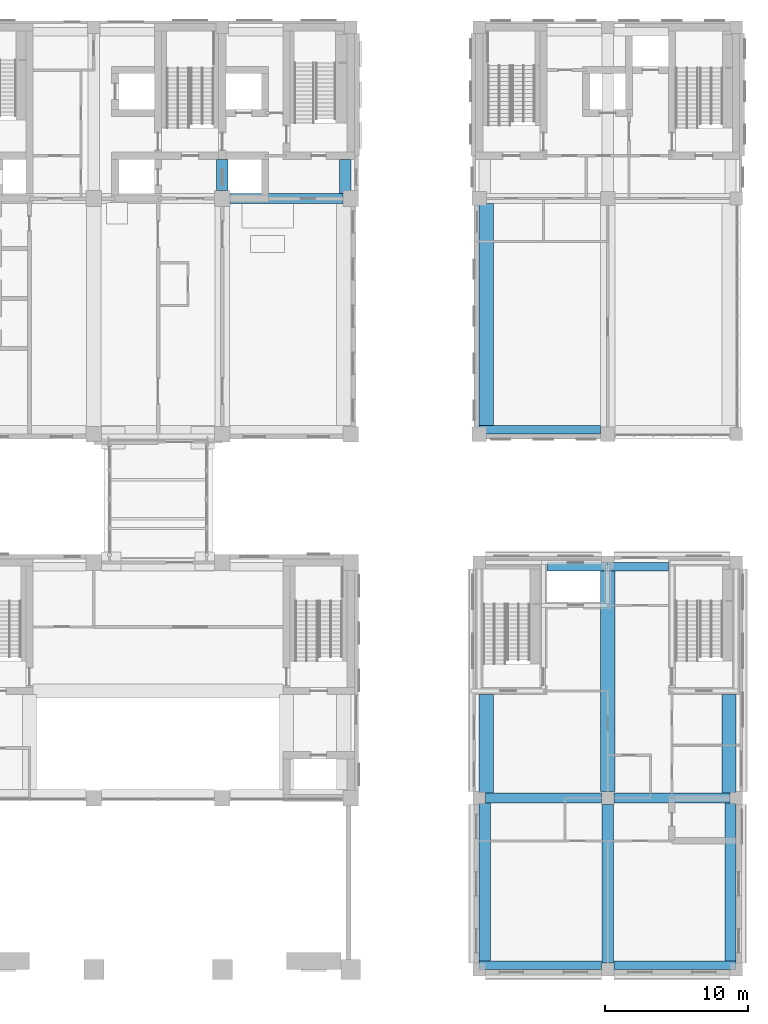
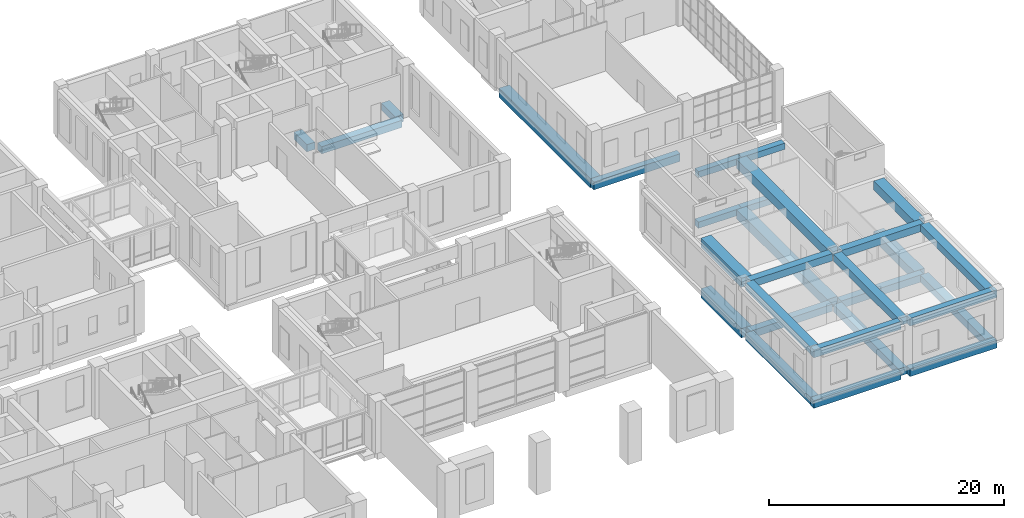
# One storey, part 17 of 52: 29 beams.
"""IFC4 building model written with IfcOpenShell, lengths in metres."""

from ifc_helpers import new_model, si_unit, direction, frame, origin, origin_2d, place, context, subcontext, project, spatial, rectangle, extrude, material, material_profile, profile_set, type_object, element, save


model = new_model("IFC4")

# Units and contexts
model_context = context("Model", 3, precision=1e-05, world=origin(), true_north=direction((0.0, 1.0)))
body_context = subcontext(model_context, "Body", "Model", "MODEL_VIEW")
ifc_project = project(units=[si_unit("LENGTHUNIT", "METRE"), si_unit("AREAUNIT", "SQUARE_METRE"), si_unit("VOLUMEUNIT", "CUBIC_METRE"), si_unit("PLANEANGLEUNIT", "RADIAN"), si_unit("MASSUNIT", "GRAM", prefix="KILO")], contexts=[model_context])

# Site, building, storey
site_placement = place(None, origin())
site = spatial("IfcSite", under=ifc_project, at=site_placement, CompositionType="ELEMENT")
building_placement = place(site_placement, origin())
building = spatial("IfcBuilding", under=site, at=building_placement, Name="Aurelan Courthouse", CompositionType="ELEMENT")
storey_placement = place(building_placement, frame((0.0, 0.0, 6.60009765625)))
storey = spatial("IfcBuildingStorey", under=building, at=storey_placement, Name="L01", CompositionType="ELEMENT", Elevation=6.60009765625)

# Beams
ifc_material = material(Name="Concrete C50", Category="concrete")
ifc_material_profile_1 = material_profile(ifc_material, rectangle(XDim=0.699951171875, YDim=0.75, at=origin_2d()), Name="RC 700 x 750")
ifc_profile_set_1 = profile_set([ifc_material_profile_1], Name="Concrete C50")
beam_type_1 = type_object("IfcBeamType", Name="PT beam 700 x 750", PredefinedType="BEAM", material=ifc_profile_set_1)
beam_1_placement = place(storey_placement, frame((54.550048828125, 54.0, -0.675048828125), z_axis=(1.0, 0.0, 0.0), x_axis=(0.0, 1.0, 0.0)))
element("IfcBeam", 1, at=beam_1_placement, inside=storey, type_object=beam_type_1, Name="Beam EB-E-7-8", PredefinedType="BEAM", context=body_context, shape_type="SweptSolid", body=[
    extrude(rectangle(XDim=0.699951171875, YDim=0.75, at=origin_2d()), origin(), (0.0, 0.0, 1.0), 7.89990234375),
])
for number, where, z_axis, x_axis, name in (
    (2, (72.449951171875, 12.0, -0.675048828125), (1.0, 0.0, 0.0), (0.0, 1.0, 0.0), "Beam EB-B-9-10"),
    (3, (81.449951171875, 12.0, -0.675048828125), (1.0, 0.0, 0.0), (0.0, 1.0, 0.0), "Beam EB-B-10-11"),
    (4, (72.449951171875, 12.0, 4.576904296875), (1.0, 0.0, 0.0), (0.0, 1.0, 0.0), "Beam EB-B-9-10R"),
    (5, (81.449951171875, 12.0, 4.576904296875), (1.0, 0.0, 0.0), (0.0, 1.0, 0.0), "Beam EB-B-10-11R"),
):
    element("IfcBeam", number, at=place(storey_placement, frame(where, z_axis=z_axis, x_axis=x_axis)), inside=storey, type_object=beam_type_1, Name=name, PredefinedType="BEAM", context=body_context, shape_type="SweptSolid", body=[
        extrude(rectangle(XDim=0.699951171875, YDim=0.75, at=origin_2d()), origin(), (0.0, 0.0, 1.0), 8.10009765625),
    ])
ifc_material_profile_2 = material_profile(ifc_material, rectangle(XDim=1.0, YDim=0.949951171875, at=origin_2d()), Name="RC 1000 x 950")
ifc_profile_set_2 = profile_set([ifc_material_profile_2], Name="Concrete C50")
beam_type_2 = type_object("IfcBeamType", Name="PT girder 1000 x 950", PredefinedType="BEAM", material=ifc_profile_set_2)
beam_2_placement = place(storey_placement, frame((72.5, 38.10009765625, -0.775146484375), z_axis=(0.0, 1.0, 0.0), x_axis=(-1.0, 0.0, 0.0)))
element("IfcBeam", 6, at=beam_2_placement, inside=storey, type_object=beam_type_2, Name="Girder GB-9DE-E", PredefinedType="BEAM", context=body_context, shape_type="SweptSolid", body=[
    extrude(rectangle(XDim=1.0, YDim=0.949951171875, at=origin_2d()), origin(), (0.0, 0.0, 1.0), 15.5498046875),
])
beam_3_placement = place(storey_placement, frame((72.5, 12.35009765625, -0.775146484375), z_axis=(0.0, 1.0, 0.0), x_axis=(-1.0, 0.0, 0.0)))
element("IfcBeam", 7, at=beam_3_placement, inside=storey, type_object=beam_type_2, Name="Girder GB-9BC-E", PredefinedType="BEAM", context=body_context, shape_type="SweptSolid", body=[
    extrude(rectangle(XDim=1.0, YDim=0.949951171875, at=origin_2d()), origin(), (0.0, 0.0, 1.0), 6.89990234375),
])
beam_4_placement = place(storey_placement, frame((81.0, 12.449951171875, -0.775146484375), z_axis=(0.0, 1.0, 0.0), x_axis=(-1.0, 0.0, 0.0)))
element("IfcBeam", 8, at=beam_4_placement, inside=storey, type_object=beam_type_2, Name="Girder GB-10BC", PredefinedType="BEAM", context=body_context, shape_type="SweptSolid", body=[
    extrude(rectangle(XDim=1.0, YDim=0.949951171875, at=origin_2d()), origin(), (0.0, 0.0, 1.0), 15.449951171875),
])
for number, where, z_axis, x_axis, name in (
    (9, (89.5, 12.35009765625, -0.775146484375), (0.0, 1.0, 0.0), (-1.0, 0.0, 0.0), "Girder GB-11BC-E"),
    (10, (72.5, 12.35009765625, 4.476806640625), (0.0, 1.0, 0.0), (-1.0, 0.0, 0.0), "Girder GB-9BCER"),
):
    element("IfcBeam", number, at=place(storey_placement, frame(where, z_axis=z_axis, x_axis=x_axis)), inside=storey, type_object=beam_type_2, Name=name, PredefinedType="BEAM", context=body_context, shape_type="SweptSolid", body=[
        extrude(rectangle(XDim=1.0, YDim=0.949951171875, at=origin_2d()), origin(), (0.0, 0.0, 1.0), 6.89990234375),
    ])
beam_5_placement = place(storey_placement, frame((81.0, 12.449951171875, 4.476806640625), z_axis=(0.0, 1.0, 0.0), x_axis=(-1.0, 0.0, 0.0)))
element("IfcBeam", 11, at=beam_5_placement, inside=storey, type_object=beam_type_2, Name="Girder GB-10BCR", PredefinedType="BEAM", context=body_context, shape_type="SweptSolid", body=[
    extrude(rectangle(XDim=1.0, YDim=0.949951171875, at=origin_2d()), origin(), (0.0, 0.0, 1.0), 15.449951171875),
])
beam_6_placement = place(storey_placement, frame((89.5, 12.35009765625, 4.476806640625), z_axis=(0.0, 1.0, 0.0), x_axis=(-1.0, 0.0, 0.0)))
element("IfcBeam", 12, at=beam_6_placement, inside=storey, type_object=beam_type_2, Name="Girder GB-11BCER", PredefinedType="BEAM", context=body_context, shape_type="SweptSolid", body=[
    extrude(rectangle(XDim=1.0, YDim=0.949951171875, at=origin_2d()), origin(), (0.0, 0.0, 1.0), 6.89990234375),
])
ifc_material_profile_3 = material_profile(ifc_material, rectangle(XDim=0.800048828125, YDim=0.75, at=origin_2d()), Name="RC 800 x 750")
ifc_profile_set_3 = profile_set([ifc_material_profile_3], Name="Concrete C50")
beam_type_3 = type_object("IfcBeamType", Name="PT girder 800 x 750", PredefinedType="BEAM", material=ifc_profile_set_3)
beam_7_placement = place(storey_placement, frame((54.0, 54.550048828125, -0.675048828125), z_axis=(0.0, 1.0, 0.0), x_axis=(-1.0, 0.0, 0.0)))
element("IfcBeam", 13, at=beam_7_placement, inside=storey, type_object=beam_type_3, Name="Girder GB-7EF", PredefinedType="BEAM", context=body_context, shape_type="SweptSolid", body=[
    extrude(rectangle(XDim=0.800048828125, YDim=0.75, at=origin_2d()), origin(), (0.0, 0.0, 1.0), 2.199951171875),
])
beam_8_placement = place(storey_placement, frame((62.60009765625, 54.35009765625, -0.675048828125), z_axis=(0.0, 1.0, 0.0), x_axis=(-1.0, 0.0, 0.0)))
element("IfcBeam", 14, at=beam_8_placement, inside=storey, type_object=beam_type_3, Name="Girder GB-8EF-E", PredefinedType="BEAM", context=body_context, shape_type="SweptSolid", body=[
    extrude(rectangle(XDim=0.800048828125, YDim=0.75, at=origin_2d()), origin(), (0.0, 0.0, 1.0), 2.39990234375),
])
beam_9_placement = place(storey_placement, frame((72.39990234375, 0.60009765625, -0.675048828125), z_axis=(0.0, 1.0, 0.0), x_axis=(-1.0, 0.0, 0.0)))
element("IfcBeam", 15, at=beam_9_placement, inside=storey, type_object=beam_type_3, Name="Girder GB-9AB-E", PredefinedType="BEAM", context=body_context, shape_type="SweptSolid", body=[
    extrude(rectangle(XDim=0.800048828125, YDim=0.75, at=origin_2d()), origin(), (0.0, 0.0, 1.0), 11.0498046875),
])
beam_10_placement = place(storey_placement, frame((81.0, 0.449951171875, -0.675048828125), z_axis=(0.0, 1.0, 0.0), x_axis=(-1.0, 0.0, 0.0)))
element("IfcBeam", 16, at=beam_10_placement, inside=storey, type_object=beam_type_3, Name="Girder GB-10AB", PredefinedType="BEAM", context=body_context, shape_type="SweptSolid", body=[
    extrude(rectangle(XDim=0.800048828125, YDim=0.75, at=origin_2d()), origin(), (0.0, 0.0, 1.0), 11.10009765625),
])
for number, where, z_axis, x_axis, name in (
    (17, (89.60009765625, 0.60009765625, -0.675048828125), (0.0, 1.0, 0.0), (-1.0, 0.0, 0.0), "Girder GB-11AB-E"),
    (18, (72.39990234375, 0.60009765625, 4.576904296875), (0.0, 1.0, 0.0), (-1.0, 0.0, 0.0), "Girder GB-9ABER"),
):
    element("IfcBeam", number, at=place(storey_placement, frame(where, z_axis=z_axis, x_axis=x_axis)), inside=storey, type_object=beam_type_3, Name=name, PredefinedType="BEAM", context=body_context, shape_type="SweptSolid", body=[
        extrude(rectangle(XDim=0.800048828125, YDim=0.75, at=origin_2d()), origin(), (0.0, 0.0, 1.0), 11.0498046875),
    ])
beam_11_placement = place(storey_placement, frame((81.0, 0.449951171875, 4.576904296875), z_axis=(0.0, 1.0, 0.0), x_axis=(-1.0, 0.0, 0.0)))
element("IfcBeam", 19, at=beam_11_placement, inside=storey, type_object=beam_type_3, Name="Girder GB-10ABR", PredefinedType="BEAM", context=body_context, shape_type="SweptSolid", body=[
    extrude(rectangle(XDim=0.800048828125, YDim=0.75, at=origin_2d()), origin(), (0.0, 0.0, 1.0), 11.10009765625),
])
beam_12_placement = place(storey_placement, frame((89.60009765625, 0.60009765625, 4.576904296875), z_axis=(0.0, 1.0, 0.0), x_axis=(-1.0, 0.0, 0.0)))
element("IfcBeam", 20, at=beam_12_placement, inside=storey, type_object=beam_type_3, Name="Girder GB-11ABER", PredefinedType="BEAM", context=body_context, shape_type="SweptSolid", body=[
    extrude(rectangle(XDim=0.800048828125, YDim=0.75, at=origin_2d()), origin(), (0.0, 0.0, 1.0), 11.0498046875),
])
ifc_material_profile_4 = material_profile(ifc_material, rectangle(XDim=0.60009765625, YDim=0.64990234375, at=origin_2d()), Name="RC 600 x 650")
ifc_profile_set_4 = profile_set([ifc_material_profile_4], Name="Concrete C50")
beam_type_4 = type_object("IfcBeamType", Name="RC spandrel beam 600 x 650", PredefinedType="SPANDREL", material=ifc_profile_set_4)
for number, where, z_axis, x_axis, name in (
    (21, (76.75, 28.199951171875, -0.625), (1.0, 0.0, 0.0), (0.0, 1.0, 0.0), "Spandrel beam SB-C-9-10"),
    (22, (81.0, 28.199951171875, -0.625), (1.0, 0.0, 0.0), (0.0, 1.0, 0.0), "Spandrel beam SB-C-10-11"),
    (23, (76.75, 28.199951171875, 4.626953125), (1.0, 0.0, 0.0), (0.0, 1.0, 0.0), "Spandrel beam SB-C-9-10R"),
    (24, (81.0, 28.199951171875, 4.626953125), (1.0, 0.0, 0.0), (0.0, 1.0, 0.0), "Spandrel beam SB-C-10-11R"),
):
    element("IfcBeam", number, at=place(storey_placement, frame(where, z_axis=z_axis, x_axis=x_axis)), inside=storey, type_object=beam_type_4, Name=name, PredefinedType="SPANDREL", context=body_context, shape_type="SweptSolid", body=[
        extrude(rectangle(XDim=0.60009765625, YDim=0.64990234375, at=origin_2d()), origin(), (0.0, 0.0, 1.0), 4.25),
    ])
ifc_material_profile_5 = material_profile(ifc_material, rectangle(XDim=0.60009765625, YDim=0.800048828125, at=origin_2d()), Name="RC 600 x 800")
ifc_profile_set_5 = profile_set([ifc_material_profile_5], Name="Concrete C50")
beam_type_5 = type_object("IfcBeamType", Name="RC spandrel beam 600 x 800", PredefinedType="SPANDREL", material=ifc_profile_set_5)
beam_13_placement = place(storey_placement, frame((72.0, 37.800048828125, -0.7001953125), z_axis=(1.0, 0.0, 0.0), x_axis=(0.0, 1.0, 0.0)))
element("IfcBeam", 25, at=beam_13_placement, inside=storey, type_object=beam_type_5, Name="Spandrel beam SB-D-9-10", PredefinedType="SPANDREL", context=body_context, shape_type="SweptSolid", body=[
    extrude(rectangle(XDim=0.60009765625, YDim=0.800048828125, at=origin_2d()), origin(), (0.0, 0.0, 1.0), 8.5),
])
for number, where, z_axis, x_axis, name in (
    (26, (72.0, 0.300048828125, -0.7001953125), (1.0, 0.0, 0.0), (0.0, 1.0, 0.0), "Spandrel beam SB-A-9-10"),
    (27, (81.449951171875, 0.300048828125, -0.7001953125), (1.0, 0.0, 0.0), (0.0, 1.0, 0.0), "Spandrel beam SB-A-10-11"),
    (28, (72.0, 0.300048828125, 4.552001953125), (1.0, 0.0, 0.0), (0.0, 1.0, 0.0), "Spandrel beam SB-A-9-10R"),
    (29, (81.449951171875, 0.300048828125, 4.552001953125), (1.0, 0.0, 0.0), (0.0, 1.0, 0.0), "Spandrel beam SB-A-10-11R"),
):
    element("IfcBeam", number, at=place(storey_placement, frame(where, z_axis=z_axis, x_axis=x_axis)), inside=storey, type_object=beam_type_5, Name=name, PredefinedType="SPANDREL", context=body_context, shape_type="SweptSolid", body=[
        extrude(rectangle(XDim=0.60009765625, YDim=0.800048828125, at=origin_2d()), origin(), (0.0, 0.0, 1.0), 8.550048828125),
    ])

save(model, "model.ifc")
